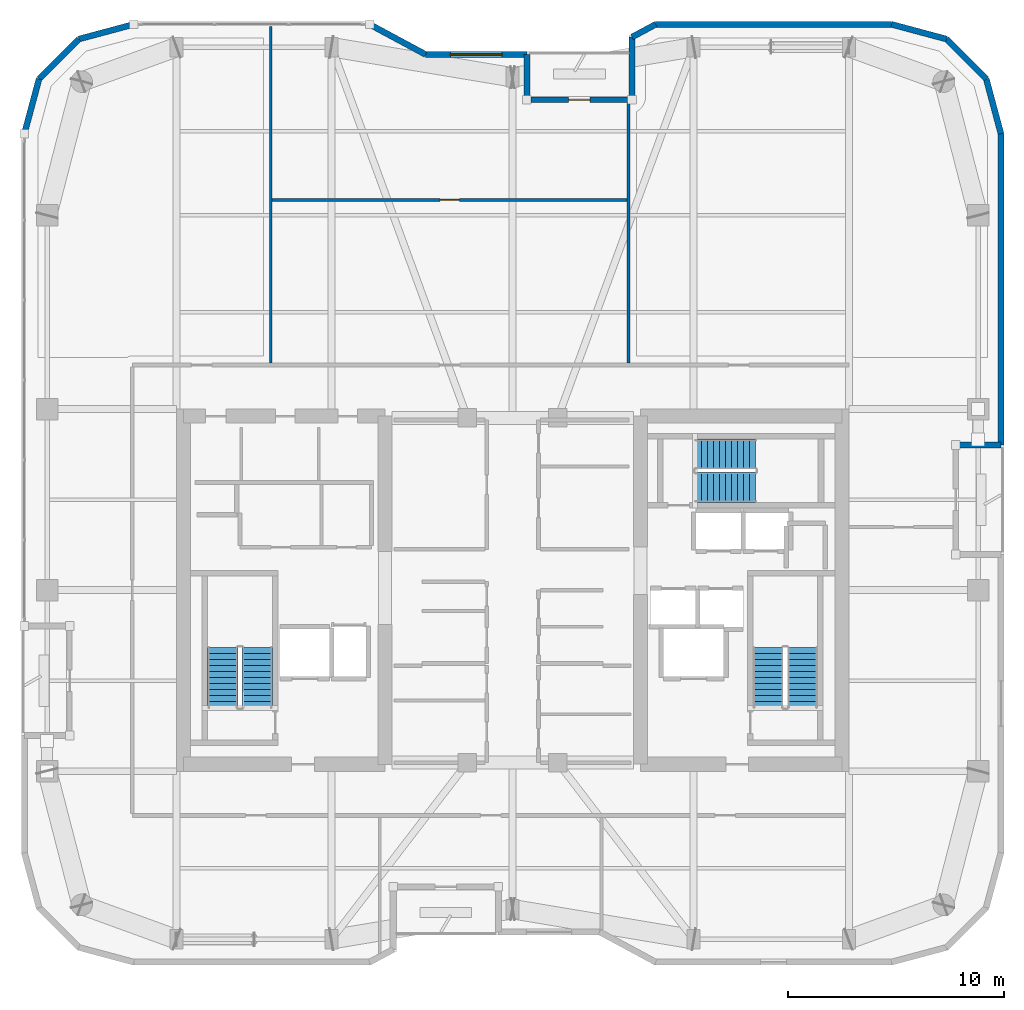
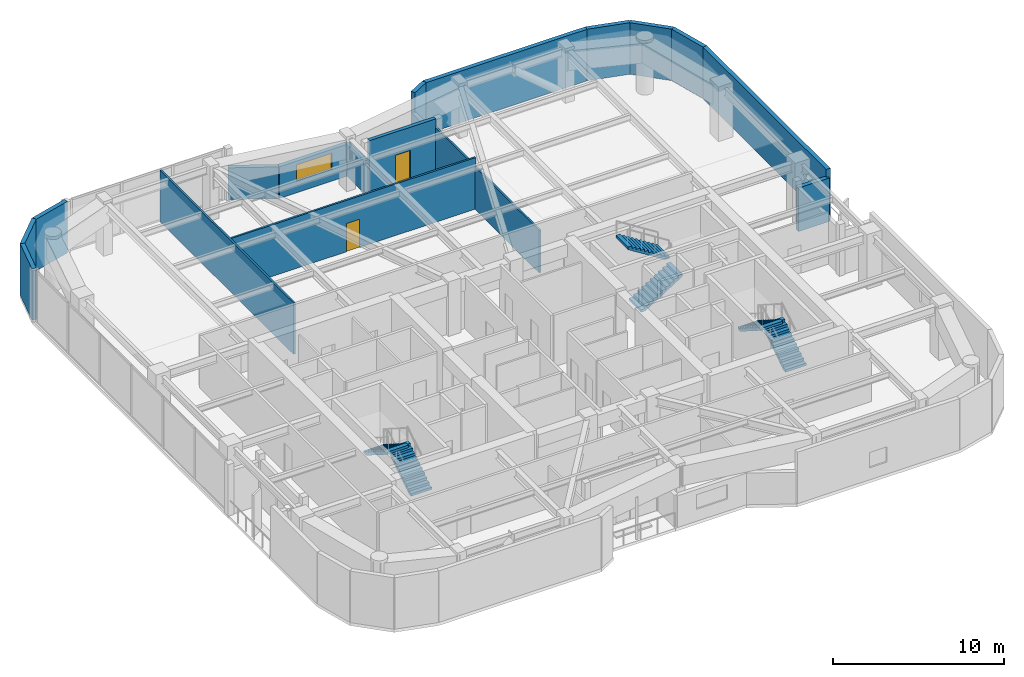
# One storey, part 18 of 21: 18 walls, 6 stair flights, 2 doors, 1 window, 3 openings, 3 elements without a shape of their own.
"""IFC4 building model written with IfcOpenShell, lengths in metres."""

from ifc_helpers import new_model, si_unit, direction, frame, frame_2d, origin, place, context, subcontext, project, spatial, polyline, rectangle, outline, extrude, material, layer, layer_set, type_object, element, fill, aggregate, save


model = new_model("IFC4")

# Units and contexts
model_context = context("Model", 3, precision=1e-05, world=origin(), true_north=direction((0.0, 1.0)))
body_context = subcontext(model_context, "Body", "Model", "MODEL_VIEW")
ifc_project = project(units=[si_unit("LENGTHUNIT", "METRE"), si_unit("AREAUNIT", "SQUARE_METRE"), si_unit("VOLUMEUNIT", "CUBIC_METRE"), si_unit("PLANEANGLEUNIT", "RADIAN"), si_unit("MASSUNIT", "GRAM", prefix="KILO")], contexts=[model_context])

# Site, building, storey
site_placement = place(None, origin())
site = spatial("IfcSite", under=ifc_project, at=site_placement, CompositionType="ELEMENT")
building_placement = place(site_placement, origin())
building = spatial("IfcBuilding", under=site, at=building_placement, Name="Kiyonajd Concourse Tower", CompositionType="ELEMENT")
storey_placement = place(building_placement, frame((0.0, 0.0, 234.89990234375)))
storey = spatial("IfcBuildingStorey", under=building, at=storey_placement, Name="L59", CompositionType="ELEMENT", Elevation=234.89990234375)

# Walls
ifc_material_1 = material(Name="Precast concrete C50/60", Category="concrete")
ifc_layer_1 = layer(ifc_material_1, 0.280029296875)
ifc_layer_set_1 = layer_set([ifc_layer_1], Name="Precast concrete C50/60")
wall_type_1 = type_object("IfcWallType", Name="WL-EXT-280", PredefinedType="SOLIDWALL", material=ifc_layer_set_1)
wall_1_placement = place(storey_placement, frame((25.340087890625, 57.181640625, 0.0), z_axis=(0.0, 0.0, 1.0), x_axis=(0.2588904131, 0.965906700466, 0.0)))
element("IfcWall", 1, at=wall_1_placement, inside=storey, type_object=wall_type_1, Name="L59 Exterior Concrete Frame Wall 06", PredefinedType="SOLIDWALL", context=body_context, shape_type="SweptSolid", body=[
    extrude(rectangle(XDim=2.6357421875, YDim=0.280029296875, at=frame_2d((1.31787109375, 0.0))), origin(), (0.0, 0.0, 1.0), 3.68017578125),
])
wall_2_placement = place(storey_placement, frame((26.0224609375, 59.7275390625, 0.0), z_axis=(0.0, 0.0, 1.0), x_axis=(0.707153437963, 0.707060121331, 0.0)))
element("IfcWall", 2, at=wall_2_placement, inside=storey, type_object=wall_type_1, Name="L59 Exterior Concrete Frame Wall 07", PredefinedType="SOLIDWALL", context=body_context, shape_type="SweptSolid", body=[
    extrude(rectangle(XDim=2.6162109375, YDim=0.280029296875, at=frame_2d((1.30810546875, 0.0))), origin(), (0.0, 0.0, 1.0), 3.68017578125),
])
wall_3_placement = place(storey_placement, frame((27.87255859375, 61.577392578125, 0.0), z_axis=(0.0, 0.0, 1.0), x_axis=(0.965883534663, 0.258976828051, 0.0)))
element("IfcWall", 3, at=wall_3_placement, inside=storey, type_object=wall_type_1, Name="L59 Exterior Concrete Frame Wall 08", PredefinedType="SOLIDWALL", context=body_context, shape_type="SweptSolid", body=[
    extrude(rectangle(XDim=2.6357421875, YDim=0.280029296875, at=frame_2d((1.31787109375, 0.0))), origin(), (0.0, 0.0, 1.0), 3.68017578125),
])
wall_4_placement = place(storey_placement, frame((41.36474609375, 62.260009765625, 0.0), z_axis=(0.0, 0.0, 1.0), x_axis=(0.880473754814, -0.474094892488, 0.0)))
element("IfcWall", 4, at=wall_4_placement, inside=storey, type_object=wall_type_1, Name="L59 Exterior Concrete Frame Wall 10", PredefinedType="SOLIDWALL", context=body_context, shape_type="SweptSolid", body=[
    extrude(rectangle(XDim=2.952880859375, YDim=0.280029296875, at=frame_2d((1.4765625, 0.0))), origin(), (0.0, 0.0, 1.0), 2.26513671875),
])

# Wall, opening, window
wall_5_placement = place(storey_placement, frame((43.964599609375, 60.860107421875, 0.0), z_axis=(0.0, 0.0, 1.0), x_axis=(1.0, 0.0, 0.0)))
wall_5 = element("IfcWall", 5, at=wall_5_placement, inside=storey, type_object=wall_type_1, Name="L59 Exterior Concrete Frame Wall 11", PredefinedType="SOLIDWALL", context=body_context, shape_type="SweptSolid", body=[
    extrude(rectangle(XDim=4.6953125, YDim=0.280029296875, at=frame_2d((2.34765625, 0.0))), origin(), (0.0, 0.0, 1.0), 2.26513671875),
])
opening_1_placement = place(wall_5_placement, frame((1.14794921875, 0.0, 0.85009765625)))
opening_1 = element("IfcOpeningElement", 6, at=opening_1_placement, cuts=wall_5, Name="Opening WN4", PredefinedType="OPENING", context=body_context, shape_type="SweptSolid", body=[
    extrude(rectangle(XDim=2.39990234375, YDim=1.14990234375, at=frame_2d((1.199951171875, 0.574951171875))), frame((0.0, 0.14990234375, 0.0), z_axis=(0.0, -1.0, 0.0), x_axis=(1.0, 0.0, 0.0)), (0.0, 0.0, 1.0), 0.300048828125),
])
ifc_material_2 = material(Name="Double Low-E Insulated Glass", Category="glass")
window_type = type_object("IfcWindowType", Name="WN-VIS-2400x1150", PartitioningType="SINGLE_PANEL", PredefinedType="WINDOW", material=ifc_material_2)
window_placement = place(opening_1_placement, origin())
window = element("IfcWindow", 7, at=window_placement, inside=storey, type_object=window_type, Name="L59 Modular Facade Vision Window 11", OverallHeight=1.14990234375, OverallWidth=2.39990234375, PartitioningType="SINGLE_PANEL", PredefinedType="WINDOW", context=body_context, shape_type="SweptSolid", body=[
    extrude(rectangle(XDim=2.39990234375, YDim=1.14990234375, at=frame_2d((1.199951171875, 0.574951171875))), frame((0.0, 0.030029296875, 0.0), z_axis=(0.0, -1.0, 0.0), x_axis=(1.0, 0.0, 0.0)), (0.0, 0.0, 1.0), 0.06005859375),
])
fill(opening_1, window)

# Walls
wall_6_placement = place(storey_placement, frame((48.659912109375, 60.860107421875, 0.0), z_axis=(0.0, 0.0, 1.0), x_axis=(0.0, -1.0, 0.0)))
element("IfcWall", 8, at=wall_6_placement, inside=storey, type_object=wall_type_1, Name="L59 Exterior Concrete Frame Wall 12", PredefinedType="SOLIDWALL", context=body_context, shape_type="SweptSolid", body=[
    extrude(rectangle(XDim=2.10009765625, YDim=0.280029296875, at=frame_2d((1.050048828125, 0.0))), origin(), (0.0, 0.0, 1.0), 2.26513671875),
])
wall_7_placement = place(storey_placement, frame((53.5400390625, 58.760009765625, 0.0), z_axis=(0.0, 0.0, 1.0), x_axis=(0.0, 1.0, 0.0)))
element("IfcWall", 9, at=wall_7_placement, inside=storey, type_object=wall_type_1, Name="L59 Exterior Concrete Frame Wall 14", PredefinedType="SOLIDWALL", context=body_context, shape_type="SweptSolid", body=[
    extrude(rectangle(XDim=2.910400390625, YDim=0.280029296875, at=frame_2d((1.455078125, 0.0))), origin(), (0.0, 0.0, 1.0), 2.26513671875),
])
wall_8_placement = place(storey_placement, frame((53.5400390625, 61.67041015625, 0.0), z_axis=(0.0, 0.0, 1.0), x_axis=(0.880515214249, 0.474017887296, 0.0)))
element("IfcWall", 10, at=wall_8_placement, inside=storey, type_object=wall_type_1, Name="L59 Exterior Concrete Frame Wall 15", PredefinedType="SOLIDWALL", context=body_context, shape_type="SweptSolid", body=[
    extrude(rectangle(XDim=1.243896484375, YDim=0.280029296875, at=frame_2d((0.6220703125, 0.0))), origin(), (0.0, 0.0, 1.0), 3.68017578125),
])
wall_9_placement = place(storey_placement, frame((54.63525390625, 62.260009765625, 0.0), z_axis=(0.0, 0.0, 1.0), x_axis=(1.0, 0.0, 0.0)))
element("IfcWall", 11, at=wall_9_placement, inside=storey, type_object=wall_type_1, Name="L59 Exterior Concrete Frame Wall 16", PredefinedType="SOLIDWALL", context=body_context, shape_type="SweptSolid", body=[
    extrude(rectangle(XDim=10.9462890625, YDim=0.280029296875, at=frame_2d((5.47314453125, 0.0))), origin(), (0.0, 0.0, 1.0), 3.68017578125),
])
wall_10_placement = place(storey_placement, frame((65.58154296875, 62.260009765625, 0.0), z_axis=(0.0, 0.0, 1.0), x_axis=(0.965883534663, -0.258976828051, 0.0)))
element("IfcWall", 12, at=wall_10_placement, inside=storey, type_object=wall_type_1, Name="L59 Exterior Concrete Frame Wall 17", PredefinedType="SOLIDWALL", context=body_context, shape_type="SweptSolid", body=[
    extrude(rectangle(XDim=2.6357421875, YDim=0.280029296875, at=frame_2d((1.31787109375, 0.0))), origin(), (0.0, 0.0, 1.0), 3.68017578125),
])
wall_11_placement = place(storey_placement, frame((68.12744140625, 61.577392578125, 0.0), z_axis=(0.0, 0.0, 1.0), x_axis=(0.707153437963, -0.707060121331, 0.0)))
element("IfcWall", 13, at=wall_11_placement, inside=storey, type_object=wall_type_1, Name="L59 Exterior Concrete Frame Wall 18", PredefinedType="SOLIDWALL", context=body_context, shape_type="SweptSolid", body=[
    extrude(rectangle(XDim=2.6162109375, YDim=0.280029296875, at=frame_2d((1.30810546875, 0.0))), origin(), (0.0, 0.0, 1.0), 3.68017578125),
])
wall_12_placement = place(storey_placement, frame((69.9775390625, 59.7275390625, 0.0), z_axis=(0.0, 0.0, 1.0), x_axis=(0.2588904131, -0.965906700466, 0.0)))
element("IfcWall", 14, at=wall_12_placement, inside=storey, type_object=wall_type_1, Name="L59 Exterior Concrete Frame Wall 19", PredefinedType="SOLIDWALL", context=body_context, shape_type="SweptSolid", body=[
    extrude(rectangle(XDim=2.6357421875, YDim=0.280029296875, at=frame_2d((1.31787109375, 0.0))), origin(), (0.0, 0.0, 1.0), 3.68017578125),
])
wall_13_placement = place(storey_placement, frame((70.659912109375, 57.181640625, 0.0), z_axis=(0.0, 0.0, 1.0), x_axis=(0.0, -1.0, 0.0)))
element("IfcWall", 15, at=wall_13_placement, inside=storey, type_object=wall_type_1, Name="L59 Exterior Concrete Frame Wall 20", PredefinedType="SOLIDWALL", context=body_context, shape_type="SweptSolid", body=[
    extrude(rectangle(XDim=14.441650390625, YDim=0.280029296875, at=frame_2d((7.220703125, 0.0))), origin(), (0.0, 0.0, 1.0), 3.68017578125),
])
wall_14_placement = place(storey_placement, frame((70.659912109375, 42.739990234375, 0.0), z_axis=(0.0, 0.0, 1.0), x_axis=(-1.0, 0.0, 0.0)))
element("IfcWall", 16, at=wall_14_placement, inside=storey, type_object=wall_type_1, Name="L59 Exterior Concrete Frame Wall 21", PredefinedType="SOLIDWALL", context=body_context, shape_type="SweptSolid", body=[
    extrude(rectangle(XDim=2.099853515625, YDim=0.280029296875, at=frame_2d((1.0498046875, 0.0))), origin(), (0.0, 0.0, 1.0), 3.1162109375),
])

# Wall, opening, door
ifc_layer_2 = layer(ifc_material_1, 0.239990234375)
ifc_layer_set_2 = layer_set([ifc_layer_2], Name="Precast concrete C50/60")
wall_type_2 = type_object("IfcWallType", Name="WL-LOG-240", PredefinedType="SOLIDWALL", material=ifc_layer_set_2)
wall_15_placement = place(storey_placement, frame((48.85498046875, 58.760009765625, 0.0), z_axis=(0.0, 0.0, 1.0), x_axis=(1.0, 0.0, 0.0)))
wall_15 = element("IfcWall", 17, at=wall_15_placement, inside=storey, type_object=wall_type_2, Name="L59 Recessed Loggia Thermal Wall LOG-N", PredefinedType="SOLIDWALL", context=body_context, shape_type="SweptSolid", body=[
    extrude(rectangle(XDim=4.489990234375, YDim=0.239990234375, at=frame_2d((2.2451171875, 0.0))), origin(), (0.0, 0.0, 1.0), 3.68017578125),
])
opening_2_placement = place(wall_15_placement, frame((1.7451171875, 0.0, 0.0)))
opening_2 = element("IfcOpeningElement", 18, at=opening_2_placement, cuts=wall_15, Name="Opening DL1", PredefinedType="OPENING", context=body_context, shape_type="SweptSolid", body=[
    extrude(rectangle(XDim=1.0, YDim=2.02001953125, at=frame_2d((0.5, 1.010009765625))), frame((0.0, 0.1298828125, 0.0), z_axis=(0.0, -1.0, 0.0), x_axis=(1.0, 0.0, 0.0)), (0.0, 0.0, 1.0), 0.260009765625),
])
ifc_material_3 = material(Name="Thermally Broken Anodised Aluminium", Category="aluminium")
door_type_1 = type_object("IfcDoorType", Name="DR-LOG-1000", OperationType="NOTDEFINED", PredefinedType="DOOR", material=ifc_material_3)
door_1_placement = place(opening_2_placement, origin())
door_1 = element("IfcDoor", 19, at=door_1_placement, inside=storey, type_object=door_type_1, Name="L59 Engawa Loggia Access Door LOG-N", OperationType="SINGLE_SWING_RIGHT", OverallHeight=2.02001953125, OverallWidth=1.0, PredefinedType="DOOR", context=body_context, shape_type="SweptSolid", body=[
    extrude(rectangle(XDim=1.0, YDim=2.02001953125, at=frame_2d((0.5, 1.010009765625))), frame((0.0, 0.02490234375, 0.0), z_axis=(0.0, -1.0, 0.0), x_axis=(1.0, 0.0, 0.0)), (0.0, 0.0, 1.0), 0.050048828125),
])
fill(opening_2, door_1)

ifc_material_4 = material(Name="Gypsum Board on Cold-Formed Steel Stud", Category="steel")
ifc_layer_3 = layer(ifc_material_4, 0.125)
ifc_layer_set_3 = layer_set([ifc_layer_3], Name="Gypsum Board on Cold-Formed Steel Stud")
wall_type_3 = type_object("IfcWallType", Name="WL-PART-125", PredefinedType="PARTITIONING", material=ifc_layer_set_3)
wall_16_placement = place(storey_placement, frame((36.780029296875, 54.110107421875, 0.0), z_axis=(0.0, 0.0, 1.0), x_axis=(1.0, 0.0, 0.0)))
wall_16 = element("IfcWall", 20, at=wall_16_placement, inside=storey, type_object=wall_type_3, Name="L59 Interior Partition Wall", PredefinedType="PARTITIONING", context=body_context, shape_type="SweptSolid", body=[
    extrude(rectangle(XDim=16.599853515625, YDim=0.125, at=frame_2d((8.2998046875, 0.0))), origin(), (0.0, 0.0, 1.0), 3.68017578125),
])
opening_3_placement = place(wall_16_placement, frame((7.85009765625, 0.0, 0.0)))
opening_3 = element("IfcOpeningElement", 21, at=opening_3_placement, cuts=wall_16, Name="Opening DI2", PredefinedType="OPENING", context=body_context, shape_type="SweptSolid", body=[
    extrude(rectangle(XDim=0.89990234375, YDim=2.02001953125, at=frame_2d((0.449951171875, 1.010009765625))), frame((0.0, 0.072509765625, 0.0), z_axis=(0.0, -1.0, 0.0), x_axis=(1.0, 0.0, 0.0)), (0.0, 0.0, 1.0), 0.14501953125),
])
ifc_material_5 = material(Name="Natural Oak Acoustic Timber Veneer", Category="wood")
door_type_2 = type_object("IfcDoorType", Name="DR-INT-900", OperationType="NOTDEFINED", PredefinedType="DOOR", material=ifc_material_5)
door_2_placement = place(opening_3_placement, origin())
door_2 = element("IfcDoor", 22, at=door_2_placement, inside=storey, type_object=door_type_2, Name="L59 Interior Door", OperationType="SINGLE_SWING_LEFT", OverallHeight=2.02001953125, OverallWidth=0.89990234375, PredefinedType="DOOR", context=body_context, shape_type="SweptSolid", body=[
    extrude(rectangle(XDim=0.89990234375, YDim=2.02001953125, at=frame_2d((0.449951171875, 1.010009765625))), frame((0.0, 0.02490234375, 0.0), z_axis=(0.0, -1.0, 0.0), x_axis=(1.0, 0.0, 0.0)), (0.0, 0.0, 1.0), 0.050048828125),
])
fill(opening_3, door_2)

# Walls
wall_17_placement = place(storey_placement, frame((36.780029296875, 46.537109375, 0.0), z_axis=(0.0, 0.0, 1.0), x_axis=(0.0, 1.0, 0.0)))
element("IfcWall", 23, at=wall_17_placement, inside=storey, type_object=wall_type_3, Name="L59 Interior Partition Wall", PredefinedType="PARTITIONING", context=body_context, shape_type="SweptSolid", body=[
    extrude(rectangle(XDim=15.6279296875, YDim=0.125, at=frame_2d((7.81396484375, 0.0))), origin(), (0.0, 0.0, 1.0), 3.68017578125),
])
wall_18_placement = place(storey_placement, frame((53.3798828125, 46.537109375, 0.0), z_axis=(0.0, 0.0, 1.0), x_axis=(0.0, 1.0, 0.0)))
element("IfcWall", 24, at=wall_18_placement, inside=storey, type_object=wall_type_3, Name="L59 Interior Partition Wall", PredefinedType="PARTITIONING", context=body_context, shape_type="SweptSolid", body=[
    extrude(rectangle(XDim=12.222900390625, YDim=0.125, at=frame_2d((6.111328125, 0.0))), origin(), (0.0, 0.0, 1.0), 3.043212890625),
])

# Stair, stair flights
ifc_material_6 = material(Name="Concrete C40/50", Category="concrete")
stair_type = type_object("IfcStairType", Name="ST-DLG-22R", PredefinedType="HALF_TURN_STAIR", material=ifc_material_6)
stair_1_placement = place(storey_placement, origin())
stair_1 = element("IfcStair", 25, at=stair_1_placement, inside=storey, type_object=stair_type, Name="L59 Protected Exit Stair ST1", PredefinedType="HALF_TURN_STAIR")
stair_flight_type = type_object("IfcStairFlightType", Name="SF-STR-22R", PredefinedType="STRAIGHT", material=ifc_material_6)
stair_flight_1_placement = place(storey_placement, frame((36.14990234375, 30.550048828125, 0.0), z_axis=(0.0, 0.0, 1.0), x_axis=(0.0, 1.0, 0.0)))
stair_flight_1 = element("IfcStairFlight", 26, at=stair_flight_1_placement, type_object=stair_flight_type, Name="ST1 flight 1", NumberOfRisers=11, NumberOfTreads=10, PredefinedType="STRAIGHT", RiserHeight=0.177272727, TreadLength=0.28, context=body_context, shape_type="SweptSolid", body=[
    extrude(outline(polyline([(0.0, 0.0), (0.0, 0.17724609375), (0.280029296875, 0.17724609375), (0.280029296875, 0.3544921875), (0.56005859375, 0.3544921875), (0.56005859375, 0.53173828125), (0.840087890625, 0.53173828125), (0.840087890625, 0.708984375), (1.1201171875, 0.708984375), (1.1201171875, 0.886474609375), (1.39990234375, 0.886474609375), (1.39990234375, 1.063720703125), (1.679931640625, 1.063720703125), (1.679931640625, 1.240966796875), (1.9599609375, 1.240966796875), (1.9599609375, 1.418212890625), (2.239990234375, 1.418212890625), (2.239990234375, 1.595458984375), (2.52001953125, 1.595458984375), (2.52001953125, 1.772705078125), (2.800048828125, 1.772705078125), (2.800048828125, 1.949951171875), (2.800048828125, 1.59521484375), (0.2802734375, 0.0), (0.0, 0.0)])), frame((0.0, 0.699951171875, 0.0), z_axis=(0.0, -1.0, 0.0), x_axis=(1.0, 0.0, 0.0)), (0.0, 0.0, 1.0), 1.39990234375),
])
stair_flight_2_placement = place(storey_placement, frame((34.550048828125, 33.35009765625, 1.9501953125), z_axis=(0.0, 0.0, 1.0), x_axis=(0.0, -1.0, 0.0)))
stair_flight_2 = element("IfcStairFlight", 27, at=stair_flight_2_placement, type_object=stair_flight_type, Name="ST1 flight 2", NumberOfRisers=11, NumberOfTreads=10, PredefinedType="STRAIGHT", RiserHeight=0.177272727, TreadLength=0.28, context=body_context, shape_type="SweptSolid", body=[
    extrude(outline(polyline([(0.0, 0.0), (0.0, 0.17724609375), (0.280029296875, 0.17724609375), (0.280029296875, 0.3544921875), (0.56005859375, 0.3544921875), (0.56005859375, 0.53173828125), (0.840087890625, 0.53173828125), (0.840087890625, 0.708984375), (1.1201171875, 0.708984375), (1.1201171875, 0.886474609375), (1.39990234375, 0.886474609375), (1.39990234375, 1.063720703125), (1.679931640625, 1.063720703125), (1.679931640625, 1.240966796875), (1.9599609375, 1.240966796875), (1.9599609375, 1.418212890625), (2.239990234375, 1.418212890625), (2.239990234375, 1.595458984375), (2.52001953125, 1.595458984375), (2.52001953125, 1.772705078125), (2.800048828125, 1.772705078125), (2.800048828125, 1.949951171875), (2.800048828125, 1.59521484375), (0.2802734375, 0.0), (0.0, 0.0)])), frame((0.0, 0.699951171875, 0.0), z_axis=(0.0, -1.0, 0.0), x_axis=(1.0, 0.0, 0.0)), (0.0, 0.0, 1.0), 1.39990234375),
])
aggregate(stair_1, [stair_flight_1, stair_flight_2])

stair_2_placement = place(storey_placement, origin())
stair_2 = element("IfcStair", 28, at=stair_2_placement, inside=storey, type_object=stair_type, Name="L59 Protected Exit Stair ST2", PredefinedType="HALF_TURN_STAIR")
stair_flight_3_placement = place(storey_placement, frame((61.449951171875, 30.550048828125, 0.0), z_axis=(0.0, 0.0, 1.0), x_axis=(0.0, 1.0, 0.0)))
stair_flight_3 = element("IfcStairFlight", 29, at=stair_flight_3_placement, type_object=stair_flight_type, Name="ST2 flight 1", NumberOfRisers=11, NumberOfTreads=10, PredefinedType="STRAIGHT", RiserHeight=0.177272727, TreadLength=0.28, context=body_context, shape_type="SweptSolid", body=[
    extrude(outline(polyline([(0.0, 0.0), (0.0, 0.17724609375), (0.280029296875, 0.17724609375), (0.280029296875, 0.3544921875), (0.56005859375, 0.3544921875), (0.56005859375, 0.53173828125), (0.840087890625, 0.53173828125), (0.840087890625, 0.708984375), (1.1201171875, 0.708984375), (1.1201171875, 0.886474609375), (1.39990234375, 0.886474609375), (1.39990234375, 1.063720703125), (1.679931640625, 1.063720703125), (1.679931640625, 1.240966796875), (1.9599609375, 1.240966796875), (1.9599609375, 1.418212890625), (2.239990234375, 1.418212890625), (2.239990234375, 1.595458984375), (2.52001953125, 1.595458984375), (2.52001953125, 1.772705078125), (2.800048828125, 1.772705078125), (2.800048828125, 1.949951171875), (2.800048828125, 1.59521484375), (0.2802734375, 0.0), (0.0, 0.0)])), frame((0.0, 0.699951171875, 0.0), z_axis=(0.0, -1.0, 0.0), x_axis=(1.0, 0.0, 0.0)), (0.0, 0.0, 1.0), 1.39990234375),
])
stair_flight_4_placement = place(storey_placement, frame((59.85009765625, 33.35009765625, 1.9501953125), z_axis=(0.0, 0.0, 1.0), x_axis=(0.0, -1.0, 0.0)))
stair_flight_4 = element("IfcStairFlight", 30, at=stair_flight_4_placement, type_object=stair_flight_type, Name="ST2 flight 2", NumberOfRisers=11, NumberOfTreads=10, PredefinedType="STRAIGHT", RiserHeight=0.177272727, TreadLength=0.28, context=body_context, shape_type="SweptSolid", body=[
    extrude(outline(polyline([(0.0, 0.0), (0.0, 0.17724609375), (0.280029296875, 0.17724609375), (0.280029296875, 0.3544921875), (0.56005859375, 0.3544921875), (0.56005859375, 0.53173828125), (0.840087890625, 0.53173828125), (0.840087890625, 0.708984375), (1.1201171875, 0.708984375), (1.1201171875, 0.886474609375), (1.39990234375, 0.886474609375), (1.39990234375, 1.063720703125), (1.679931640625, 1.063720703125), (1.679931640625, 1.240966796875), (1.9599609375, 1.240966796875), (1.9599609375, 1.418212890625), (2.239990234375, 1.418212890625), (2.239990234375, 1.595458984375), (2.52001953125, 1.595458984375), (2.52001953125, 1.772705078125), (2.800048828125, 1.772705078125), (2.800048828125, 1.949951171875), (2.800048828125, 1.59521484375), (0.2802734375, 0.0), (0.0, 0.0)])), frame((0.0, 0.699951171875, 0.0), z_axis=(0.0, -1.0, 0.0), x_axis=(1.0, 0.0, 0.0)), (0.0, 0.0, 1.0), 1.39990234375),
])
aggregate(stair_2, [stair_flight_3, stair_flight_4])

stair_3_placement = place(storey_placement, origin())
stair_3 = element("IfcStair", 31, at=stair_3_placement, inside=storey, type_object=stair_type, Name="L59 Protected Exit Stair ST3", PredefinedType="HALF_TURN_STAIR")
stair_flight_5_placement = place(storey_placement, frame((56.47998046875, 40.780029296875, 0.0), z_axis=(0.0, 0.0, 1.0), x_axis=(1.0, 0.0, 0.0)))
stair_flight_5 = element("IfcStairFlight", 32, at=stair_flight_5_placement, type_object=stair_flight_type, Name="ST3 flight 1", NumberOfRisers=11, NumberOfTreads=10, PredefinedType="STRAIGHT", RiserHeight=0.177272727, TreadLength=0.28, context=body_context, shape_type="SweptSolid", body=[
    extrude(outline(polyline([(0.0, 0.0), (0.0, 0.17724609375), (0.280029296875, 0.17724609375), (0.280029296875, 0.3544921875), (0.56005859375, 0.3544921875), (0.56005859375, 0.53173828125), (0.840087890625, 0.53173828125), (0.840087890625, 0.708984375), (1.1201171875, 0.708984375), (1.1201171875, 0.886474609375), (1.39990234375, 0.886474609375), (1.39990234375, 1.063720703125), (1.679931640625, 1.063720703125), (1.679931640625, 1.240966796875), (1.9599609375, 1.240966796875), (1.9599609375, 1.418212890625), (2.239990234375, 1.418212890625), (2.239990234375, 1.595458984375), (2.52001953125, 1.595458984375), (2.52001953125, 1.772705078125), (2.800048828125, 1.772705078125), (2.800048828125, 1.949951171875), (2.800048828125, 1.59521484375), (0.2802734375, 0.0), (0.0, 0.0)])), frame((0.0, 0.699951171875, 0.0), z_axis=(0.0, -1.0, 0.0), x_axis=(1.0, 0.0, 0.0)), (0.0, 0.0, 1.0), 1.39990234375),
])
stair_flight_6_placement = place(storey_placement, frame((59.280029296875, 42.320068359375, 1.9501953125), z_axis=(0.0, 0.0, 1.0), x_axis=(-1.0, 0.0, 0.0)))
stair_flight_6 = element("IfcStairFlight", 33, at=stair_flight_6_placement, type_object=stair_flight_type, Name="ST3 flight 2", NumberOfRisers=11, NumberOfTreads=10, PredefinedType="STRAIGHT", RiserHeight=0.177272727, TreadLength=0.28, context=body_context, shape_type="SweptSolid", body=[
    extrude(outline(polyline([(0.0, 0.0), (0.0, 0.17724609375), (0.280029296875, 0.17724609375), (0.280029296875, 0.3544921875), (0.56005859375, 0.3544921875), (0.56005859375, 0.53173828125), (0.840087890625, 0.53173828125), (0.840087890625, 0.708984375), (1.1201171875, 0.708984375), (1.1201171875, 0.886474609375), (1.39990234375, 0.886474609375), (1.39990234375, 1.063720703125), (1.679931640625, 1.063720703125), (1.679931640625, 1.240966796875), (1.9599609375, 1.240966796875), (1.9599609375, 1.418212890625), (2.239990234375, 1.418212890625), (2.239990234375, 1.595458984375), (2.52001953125, 1.595458984375), (2.52001953125, 1.772705078125), (2.800048828125, 1.772705078125), (2.800048828125, 1.949951171875), (2.800048828125, 1.59521484375), (0.2802734375, 0.0), (0.0, 0.0)])), frame((0.0, 0.699951171875, 0.0), z_axis=(0.0, -1.0, 0.0), x_axis=(1.0, 0.0, 0.0)), (0.0, 0.0, 1.0), 1.39990234375),
])
aggregate(stair_3, [stair_flight_5, stair_flight_6])

save(model, "model.ifc")
